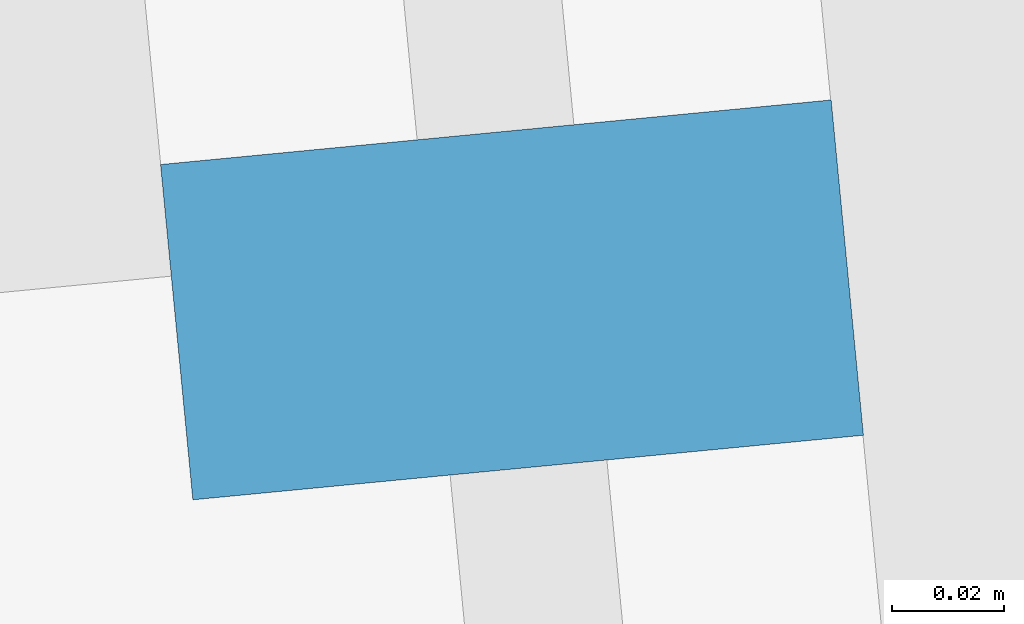
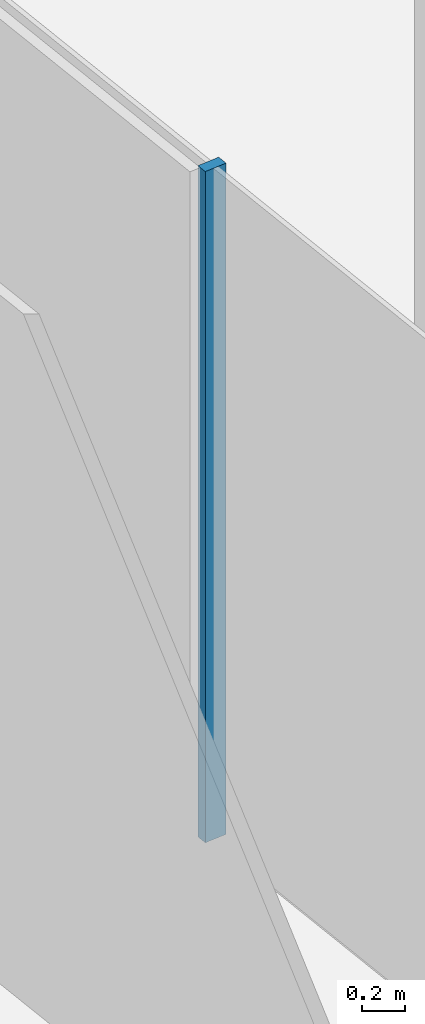
# One storey, part 12 of 28: 1 member, 1 element without a shape of its own.
"""IFC4 building model written with IfcOpenShell, lengths in metres."""

import ifcopenshell
import ifcopenshell.guid

model = None  # the IFC model being written
_history = None  # IfcOwnerHistory: only IFC2X3 demands one
_inside = {}  # id of a spatial element -> (the spatial element, [elements in it])
_under = {}  # id of a project, library or spatial element -> (it, [spatial elements below it])
_declared = {}  # id of a project -> (the project, [libraries it declares])
_typed = {}  # id of a type object -> (the type object, [elements of that type])
_made_of = {}  # id of a material, layer set ... -> (it, [elements and type objects made of it])


def new_model(schema):
    """Start an empty IFC model of exactly this schema.

    Asked for "IFC4X3", IfcOpenShell would pick the latest addendum, in which some entities
    have other attributes; the version numbers below select the first issue.
    IFC2X3 requires an IfcOwnerHistory on every rooted entity: one is made here for all.
    """
    global model, _history
    if schema == "IFC4X3":
        model = ifcopenshell.file(schema_version=(4, 3, 0, 0))
    else:
        model = ifcopenshell.file(schema=schema)
    _inside.clear()
    _under.clear()
    _declared.clear()
    _typed.clear()
    _made_of.clear()
    _history = None
    if model.schema == "IFC2X3":
        org = make("IfcOrganization", Name="unknown")
        user = make(
            "IfcPersonAndOrganization",
            ThePerson=make("IfcPerson", FamilyName="unknown"),
            TheOrganization=org,
        )
        app = make(
            "IfcApplication",
            ApplicationDeveloper=org,
            Version="unknown",
            ApplicationFullName="unknown",
            ApplicationIdentifier="unknown",
        )
        _history = make(
            "IfcOwnerHistory",
            OwningUser=user,
            OwningApplication=app,
            ChangeAction="ADDED",
            CreationDate=0,
        )
    return model


def make(cls, **values):
    """One entity of the class cls with the attributes given. An attribute that is None is left unset."""
    return model.create_entity(
        cls, **{name: value for name, value in values.items() if value is not None}
    )


def rooted(cls, **values):
    """An entity with a GlobalId (a new one), such as an element, a storey or a relation."""
    return make(cls, GlobalId=ifcopenshell.guid.new(), OwnerHistory=_history, **values)


def si_unit(unit_type, name, prefix=None):
    """IfcSIUnit, for example si_unit("LENGTHUNIT", "METRE", prefix="MILLI")."""
    return make("IfcSIUnit", UnitType=unit_type, Prefix=prefix, Name=name)


def assignment(units):
    """IfcUnitAssignment: the units of a project."""
    return None if units is None else make("IfcUnitAssignment", Units=units)


def point(xyz):
    """IfcCartesianPoint."""
    return None if xyz is None else make("IfcCartesianPoint", Coordinates=xyz)


def direction(xyz):
    """IfcDirection."""
    return None if xyz is None else make("IfcDirection", DirectionRatios=xyz)


def frame(location, z_axis=None, x_axis=None):
    """IfcAxis2Placement3D, a coordinate frame: its origin and axes. An axis left out is left unset."""
    return make(
        "IfcAxis2Placement3D",
        Location=point(location),
        Axis=direction(z_axis),
        RefDirection=direction(x_axis),
    )


def frame_2d(location, x_axis=None):
    """IfcAxis2Placement2D, a coordinate frame in the plane: its origin and x axis."""
    return make(
        "IfcAxis2Placement2D", Location=point(location), RefDirection=direction(x_axis)
    )


def origin():
    """The frame at (0, 0, 0) with its axes left unset."""
    return frame((0.0, 0.0, 0.0))


def origin_2d():
    """The frame at (0, 0) in the plane with its x axis left unset."""
    return frame_2d((0.0, 0.0))


def place(relative_to, where):
    """IfcLocalPlacement: puts the frame where relative to a parent placement (None: the world)."""
    return make(
        "IfcLocalPlacement", PlacementRelTo=relative_to, RelativePlacement=where
    )


def context(
    kind, dimensions, precision=None, world=None, true_north=None, identifier=None
):
    """IfcGeometricRepresentationContext, for example the 3D "Model" context."""
    return make(
        "IfcGeometricRepresentationContext",
        ContextIdentifier=identifier,
        ContextType=kind,
        CoordinateSpaceDimension=dimensions,
        Precision=precision,
        WorldCoordinateSystem=world,
        TrueNorth=true_north,
    )


def subcontext(parent, identifier, kind, view, scale=None):
    """IfcGeometricRepresentationSubContext, for example "Body" below "Model"."""
    return make(
        "IfcGeometricRepresentationSubContext",
        ContextIdentifier=identifier,
        ContextType=kind,
        ParentContext=parent,
        TargetScale=scale,
        TargetView=view,
    )


def project(units=None, contexts=None):
    """IfcProject with its units and contexts."""
    return rooted(
        "IfcProject",
        Name="project",
        RepresentationContexts=contexts,
        UnitsInContext=assignment(units),
    )


def spatial(cls, under=None, at=None, **own):
    """A site, building, storey or space (cls), placed at a placement, below another one or the project."""
    s = rooted(cls, ObjectPlacement=at, **own)
    if under is not None:
        _under.setdefault(under.id(), (under, []))[1].append(s)
    return s


def profile(cls, at=None, kind="AREA", **sizes):
    """A parametric profile (cls). Its sizes go by their IFC names, for example OverallWidth=200.0."""
    return make(cls, ProfileType=kind, Position=at, **sizes)


def rectangle(**sizes):
    """IfcRectangleProfileDef."""
    return profile("IfcRectangleProfileDef", **sizes)


def extrude(swept, where, along, depth):
    """IfcExtrudedAreaSolid: the profile swept, set in the frame where, extruded along a direction by depth."""
    return make(
        "IfcExtrudedAreaSolid",
        SweptArea=swept,
        Position=where,
        ExtrudedDirection=direction(along),
        Depth=depth,
    )


def shape(context_of_items, identifier, shape_type, items):
    """IfcShapeRepresentation: the items that make up one representation, for example the "Body"."""
    return make(
        "IfcShapeRepresentation",
        ContextOfItems=context_of_items,
        RepresentationIdentifier=identifier,
        RepresentationType=shape_type,
        Items=items,
    )


def material(Name=None, Category=None):
    """IfcMaterial."""
    return make("IfcMaterial", Name=Name, Category=Category)


def layer(
    of_material, thickness, ventilated=None, Name=None, Category=None, Priority=None
):
    """IfcMaterialLayer: one layer of a wall or slab, of a material (None: an air gap)."""
    return make(
        "IfcMaterialLayer",
        Material=of_material,
        LayerThickness=thickness,
        IsVentilated=ventilated,
        Name=Name,
        Category=Category,
        Priority=Priority,
    )


def layer_set(layers, Name=None):
    """IfcMaterialLayerSet."""
    return make("IfcMaterialLayerSet", MaterialLayers=layers, LayerSetName=Name)


def material_profile(
    of_material, cross_section, Name=None, Category=None, Priority=None
):
    """IfcMaterialProfile: a cross section and its material."""
    return make(
        "IfcMaterialProfile",
        Name=Name,
        Material=of_material,
        Profile=cross_section,
        Priority=Priority,
        Category=Category,
    )


def profile_set(profiles, Name=None, composite=None):
    """IfcMaterialProfileSet."""
    return make(
        "IfcMaterialProfileSet",
        Name=Name,
        MaterialProfiles=profiles,
        CompositeProfile=composite,
    )


def made_of(thing, what):
    """Note that an element or type object is made of a material, layer set ...; save() writes the relation."""
    if what is not None:
        _made_of.setdefault(what.id(), (what, []))[1].append(thing)
    return thing


def type_object(cls, material=None, **own):
    """A type object (cls), such as IfcWallType, which elements share."""
    return made_of(rooted(cls, **own), material)


def element(
    cls,
    number,
    at=None,
    inside=None,
    cuts=None,
    type_object=None,
    material=None,
    context=None,
    identifier="Body",
    shape_type=None,
    held_by="IfcProductDefinitionShape",
    body=None,
    shapes=None,
    **own,
):
    """One element of the class cls, such as IfcWall. Its Tag is "e" and its number.

    at: its placement. inside: the storey or other place that contains it. cuts: it is an
    opening in that element (IfcRelVoidsElement). A single representation is given by context,
    identifier, shape_type and body (its items); several are given by shapes. held_by: the class
    of the entity that holds the representations. save() writes the other relations.
    """
    e = rooted(cls, Tag="e%d" % number, ObjectPlacement=at, **own)
    if body is not None:
        shapes = [shape(context, identifier, shape_type, body)]
    if shapes is not None:
        e.Representation = make(held_by, Representations=shapes)
    if inside is not None:
        _inside.setdefault(inside.id(), (inside, []))[1].append(e)
    if cuts is not None:
        rooted(
            "IfcRelVoidsElement", RelatingBuildingElement=cuts, RelatedOpeningElement=e
        )
    if type_object is not None:
        _typed.setdefault(type_object.id(), (type_object, []))[1].append(e)
    return made_of(e, material)


def aggregate(whole, parts):
    """IfcRelAggregates: a whole, such as a stair, and the parts it consists of."""
    return rooted("IfcRelAggregates", RelatingObject=whole, RelatedObjects=parts)


def save(model, path):
    """Write the relations noted so far, then the file.

    IfcRelAggregates (storeys below a building ...), IfcRelContainedInSpatialStructure (elements
    in a storey), IfcRelDefinesByType, IfcRelAssociatesMaterial and IfcRelDeclares: one each for
    every whole, place, type object, material and project.
    """
    for whole, parts in _under.values():
        aggregate(whole, parts)
    for where, things in _inside.values():
        rooted(
            "IfcRelContainedInSpatialStructure",
            RelatedElements=things,
            RelatingStructure=where,
        )
    for kind, things in _typed.values():
        rooted("IfcRelDefinesByType", RelatedObjects=things, RelatingType=kind)
    for what, things in _made_of.values():
        rooted("IfcRelAssociatesMaterial", RelatedObjects=things, RelatingMaterial=what)
    for by, libraries in _declared.values():
        rooted("IfcRelDeclares", RelatingContext=by, RelatedDefinitions=libraries)
    model.write(path)


model = new_model("IFC4")

# Units and contexts
model_context = context("Model", 3, precision=1e-05, world=origin(), true_north=direction((0.0, 1.0)))
body_context = subcontext(model_context, "Body", "Model", "MODEL_VIEW")
ifc_project = project(units=[si_unit("LENGTHUNIT", "METRE"), si_unit("AREAUNIT", "SQUARE_METRE"), si_unit("VOLUMEUNIT", "CUBIC_METRE"), si_unit("PLANEANGLEUNIT", "RADIAN"), si_unit("MASSUNIT", "GRAM", prefix="KILO")], contexts=[model_context])

# Site, building, storey
site_placement = place(None, origin())
site = spatial("IfcSite", under=ifc_project, at=site_placement, CompositionType="ELEMENT")
building_placement = place(site_placement, origin())
building = spatial("IfcBuilding", under=site, at=building_placement, Name="Welwitschia Terrace Campus", CompositionType="ELEMENT")
storey_placement = place(building_placement, frame((0.0, 0.0, 87.800048828125)))
storey = spatial("IfcBuildingStorey", under=building, at=storey_placement, Name="L19", CompositionType="ELEMENT", Elevation=87.800048828125)

# Curtain wall, member
ifc_material_1 = material(Name="Bronze anodised aluminium", Category="aluminium")
ifc_layer = layer(ifc_material_1, 0.1201171875)
ifc_layer_set = layer_set([ifc_layer], Name="Bronze anodised aluminium")
curtain_wall_type = type_object("IfcCurtainWallType", Name="Curtain wall CW2 tower 6000", PredefinedType="NOTDEFINED", material=ifc_layer_set)
curtain_wall_placement = place(storey_placement, origin())
curtain_wall = element("IfcCurtainWall", 1, at=curtain_wall_placement, inside=storey, type_object=curtain_wall_type, Name="CW L19.0.0", PredefinedType="NOTDEFINED")
ifc_material_2 = material(Name="Bronze anodised aluminium", Category="aluminium")
ifc_material_profile = material_profile(ifc_material_2, rectangle(XDim=0.1201171875, YDim=0.06005859375, at=origin_2d()))
ifc_profile_set = profile_set([ifc_material_profile], Name="Bronze anodised aluminium")
member_type = type_object("IfcMemberType", Name="Mullion 60x120", PredefinedType="MULLION", material=ifc_profile_set)
member_placement = place(storey_placement, frame((-2.847900390625, 50.336181640625, 0.0), z_axis=(0.0, 0.0, 1.0), x_axis=(0.995396198367, 0.09584575252, 0.0)))
member = element("IfcMember", 2, at=member_placement, type_object=member_type, Name="Mullion L19.0.0.3", PredefinedType="MULLION", context=body_context, shape_type="SweptSolid", body=[
    extrude(rectangle(XDim=0.1201171875, YDim=0.06005859375, at=origin_2d()), origin(), (0.0, 0.0, 1.0), 3.849853515625),
])
aggregate(curtain_wall, [member])

save(model, "model.ifc")
